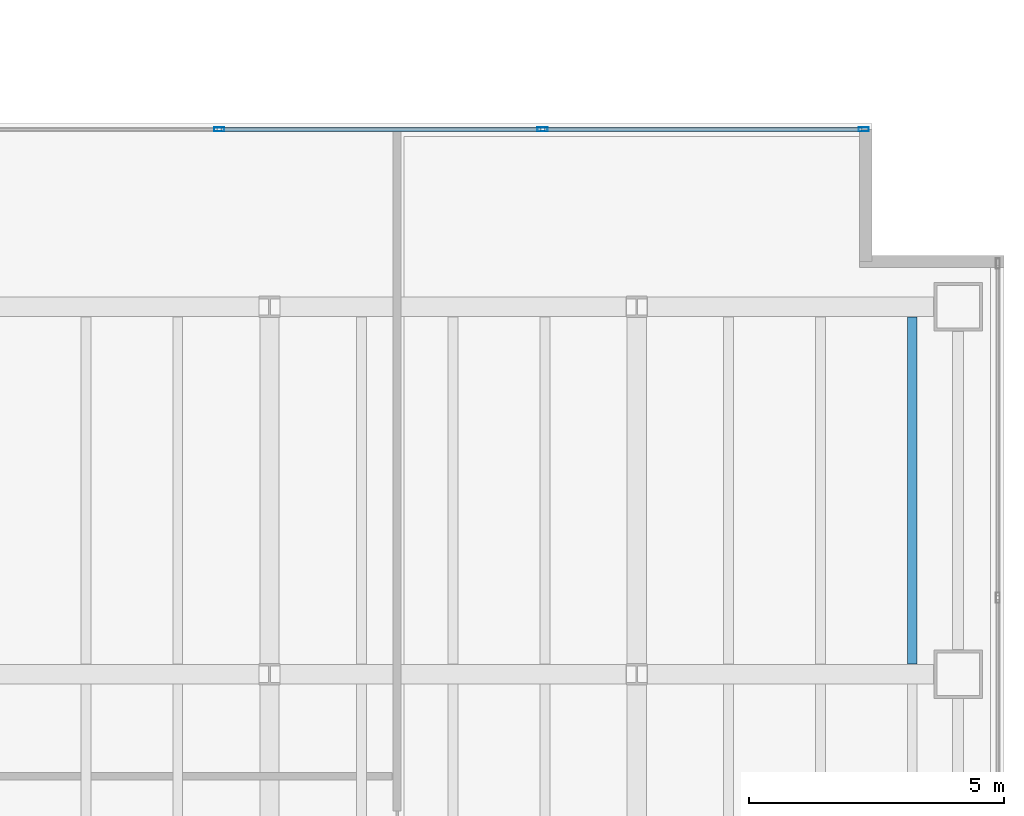
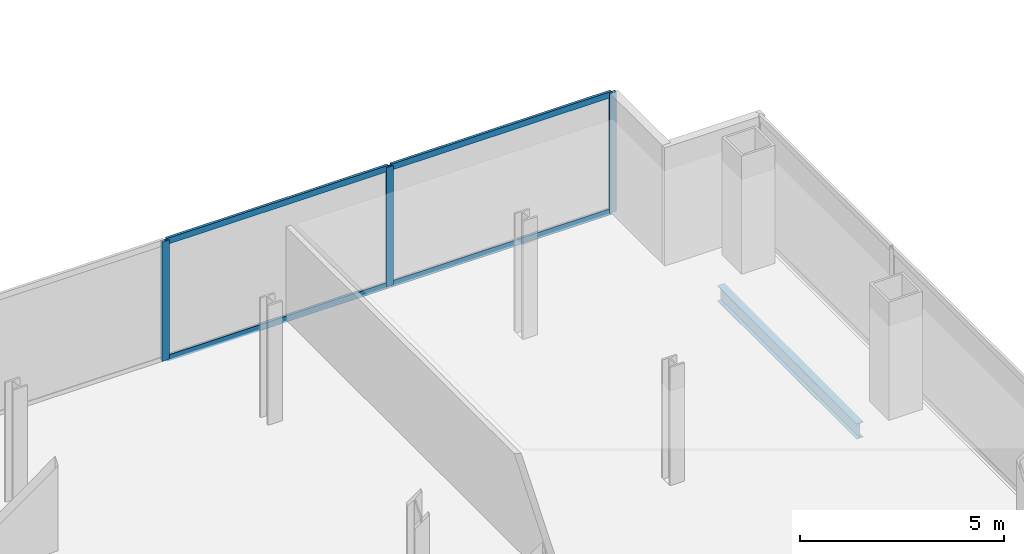
# One storey, part 12 of 24: 7 members, 1 beam, 1 element without a shape of its own.
"""IFC4 building model written with IfcOpenShell, lengths in metres."""

from ifc_helpers import new_model, si_unit, direction, frame, origin, origin_2d, place, context, subcontext, project, spatial, hollow_rectangle, i_section, extrude, material, material_profile, profile_set, type_object, element, aggregate, save


model = new_model("IFC4")

# Units and contexts
model_context = context("Model", 3, precision=1e-05, world=origin(), true_north=direction((0.0, 1.0)))
body_context = subcontext(model_context, "Body", "Model", "MODEL_VIEW")
ifc_project = project(units=[si_unit("LENGTHUNIT", "METRE"), si_unit("AREAUNIT", "SQUARE_METRE"), si_unit("VOLUMEUNIT", "CUBIC_METRE"), si_unit("PLANEANGLEUNIT", "RADIAN"), si_unit("MASSUNIT", "GRAM", prefix="KILO")], contexts=[model_context])

# Site, building, storey
site_placement = place(None, origin())
site = spatial("IfcSite", under=ifc_project, at=site_placement, CompositionType="ELEMENT")
building_placement = place(site_placement, origin())
building = spatial("IfcBuilding", under=site, at=building_placement, Name="Cobrela Telecom Tower", CompositionType="ELEMENT")
storey_placement = place(building_placement, frame((0.0, 0.0, 85.050048828125)))
storey = spatial("IfcBuildingStorey", under=building, at=storey_placement, Name="L21", CompositionType="ELEMENT", Elevation=85.050048828125)

# Beam
ifc_material_1 = material(Name="Steel ASTM A992 Grade 50", Category="steel")
ifc_material_profile_1 = material_profile(ifc_material_1, i_section(OverallWidth=0.193115234375, OverallDepth=0.467041015625, WebThickness=0.011474609375, FlangeThickness=0.01904296875, FilletRadius=0.012939453125, at=origin_2d()), Name="W18X65")
ifc_profile_set_1 = profile_set([ifc_material_profile_1], Name="Steel ASTM A992 Grade 50")
beam_type = type_object("IfcBeamType", Name="BM-JOIST-03", PredefinedType="JOIST", material=ifc_profile_set_1)
beam_placement = place(storey_placement, frame((48.60009765625, 14.595458984375, -0.513427734375), z_axis=(0.0, 1.0, 0.0), x_axis=(-1.0, 0.0, 0.0)))
element("IfcBeam", 1, at=beam_placement, inside=storey, type_object=beam_type, Name="L21 Secondary Composite Floor Beam J64", PredefinedType="JOIST", context=body_context, shape_type="SweptSolid", body=[
    extrude(i_section(OverallWidth=0.193115234375, OverallDepth=0.467041015625, WebThickness=0.011474609375, FlangeThickness=0.01904296875, FilletRadius=0.012939453125, at=origin_2d()), origin(), (0.0, 0.0, 1.0), 6.80908203125),
])

# Curtain wall, members
ifc_material_2 = material(Name="Anodized Bronze Aluminium 6063-T6", Category="aluminium")
curtain_wall_type = type_object("IfcCurtainWallType", Name="CW-SYS-DATA", PredefinedType="USERDEFINED", material=ifc_material_2)
curtain_wall_placement = place(storey_placement, origin())
curtain_wall = element("IfcCurtainWall", 2, at=curtain_wall_placement, inside=storey, type_object=curtain_wall_type, Name="L21 Unitised Bronze Curtain Wall 11", ObjectType="UNITISED CURTAIN WALL", PredefinedType="USERDEFINED")
ifc_material_profile_2 = material_profile(ifc_material_2, hollow_rectangle(XDim=0.080078125, YDim=0.199951171875, WallThickness=0.00390625, at=origin_2d()), Name="ALU 80x200x4")
ifc_profile_set_2 = profile_set([ifc_material_profile_2], Name="Anodized Bronze Aluminium 6063-T6")
member_type_1 = type_object("IfcMemberType", Name="CW-SYS-DATA-MUL", PredefinedType="MULLION", material=ifc_profile_set_2)
member_1_placement = place(storey_placement, frame((35.0166015625, 25.080078125, 0.0), z_axis=(0.0, 0.0, 1.0), x_axis=(0.0, 1.0, 0.0)))
member_1 = element("IfcMember", 3, at=member_1_placement, type_object=member_type_1, Name="CW-DATA mullion 2", PredefinedType="MULLION", context=body_context, shape_type="SweptSolid", body=[
    extrude(hollow_rectangle(XDim=0.080078125, YDim=0.199951171875, WallThickness=0.00390625, at=origin_2d()), origin(), (0.0, 0.0, 1.0), 3.570068359375),
])
member_2_placement = place(storey_placement, frame((41.353271484375, 25.080078125, 0.0), z_axis=(0.0, 0.0, 1.0), x_axis=(0.0, 1.0, 0.0)))
member_2 = element("IfcMember", 4, at=member_2_placement, type_object=member_type_1, Name="CW-DATA mullion 3", PredefinedType="MULLION", context=body_context, shape_type="SweptSolid", body=[
    extrude(hollow_rectangle(XDim=0.080078125, YDim=0.199951171875, WallThickness=0.00390625, at=origin_2d()), origin(), (0.0, 0.0, 1.0), 3.570068359375),
])
member_3_placement = place(storey_placement, frame((47.64990234375, 25.080078125, 0.0), z_axis=(0.0, 0.0, 1.0), x_axis=(0.0, 1.0, 0.0)))
member_3 = element("IfcMember", 5, at=member_3_placement, type_object=member_type_1, Name="CW-DATA mullion 4", PredefinedType="MULLION", context=body_context, shape_type="SweptSolid", body=[
    extrude(hollow_rectangle(XDim=0.080078125, YDim=0.199951171875, WallThickness=0.00390625, at=origin_2d()), origin(), (0.0, 0.0, 1.0), 3.570068359375),
])
ifc_material_profile_3 = material_profile(ifc_material_2, hollow_rectangle(XDim=0.074951171875, YDim=0.179931640625, WallThickness=0.00390625, at=origin_2d()), Name="ALU 75x180x4")
ifc_profile_set_3 = profile_set([ifc_material_profile_3], Name="Anodized Bronze Aluminium 6063-T6")
member_type_2 = type_object("IfcMemberType", Name="CW-SYS-DATA-TRN", PredefinedType="USERDEFINED", material=ifc_profile_set_3)
member_4_placement = place(storey_placement, frame((35.056640625, 25.080078125, 0.037353515625), z_axis=(1.0, 0.0, 0.0), x_axis=(0.0, 1.0, 0.0)))
member_4 = element("IfcMember", 6, at=member_4_placement, type_object=member_type_2, Name="CW-DATA transom 2.1", ObjectType="TRANSOM", PredefinedType="USERDEFINED", context=body_context, shape_type="SweptSolid", body=[
    extrude(hollow_rectangle(XDim=0.074951171875, YDim=0.179931640625, WallThickness=0.00390625, at=origin_2d()), origin(), (0.0, 0.0, 1.0), 6.256591796875),
])
member_5_placement = place(storey_placement, frame((35.056640625, 25.080078125, 3.532470703125), z_axis=(1.0, 0.0, 0.0), x_axis=(0.0, 1.0, 0.0)))
member_5 = element("IfcMember", 7, at=member_5_placement, type_object=member_type_2, Name="CW-DATA transom 2.2", ObjectType="TRANSOM", PredefinedType="USERDEFINED", context=body_context, shape_type="SweptSolid", body=[
    extrude(hollow_rectangle(XDim=0.074951171875, YDim=0.179931640625, WallThickness=0.00390625, at=origin_2d()), origin(), (0.0, 0.0, 1.0), 6.256591796875),
])
member_6_placement = place(storey_placement, frame((41.393310546875, 25.080078125, 0.037353515625), z_axis=(1.0, 0.0, 0.0), x_axis=(0.0, 1.0, 0.0)))
member_6 = element("IfcMember", 8, at=member_6_placement, type_object=member_type_2, Name="CW-DATA transom 3.1", ObjectType="TRANSOM", PredefinedType="USERDEFINED", context=body_context, shape_type="SweptSolid", body=[
    extrude(hollow_rectangle(XDim=0.074951171875, YDim=0.179931640625, WallThickness=0.00390625, at=origin_2d()), origin(), (0.0, 0.0, 1.0), 6.216796875),
])
member_7_placement = place(storey_placement, frame((41.393310546875, 25.080078125, 3.532470703125), z_axis=(1.0, 0.0, 0.0), x_axis=(0.0, 1.0, 0.0)))
member_7 = element("IfcMember", 9, at=member_7_placement, type_object=member_type_2, Name="CW-DATA transom 3.2", ObjectType="TRANSOM", PredefinedType="USERDEFINED", context=body_context, shape_type="SweptSolid", body=[
    extrude(hollow_rectangle(XDim=0.074951171875, YDim=0.179931640625, WallThickness=0.00390625, at=origin_2d()), origin(), (0.0, 0.0, 1.0), 6.216796875),
])
aggregate(curtain_wall, [member_1, member_2, member_3, member_4, member_5, member_6, member_7])

save(model, "model.ifc")
